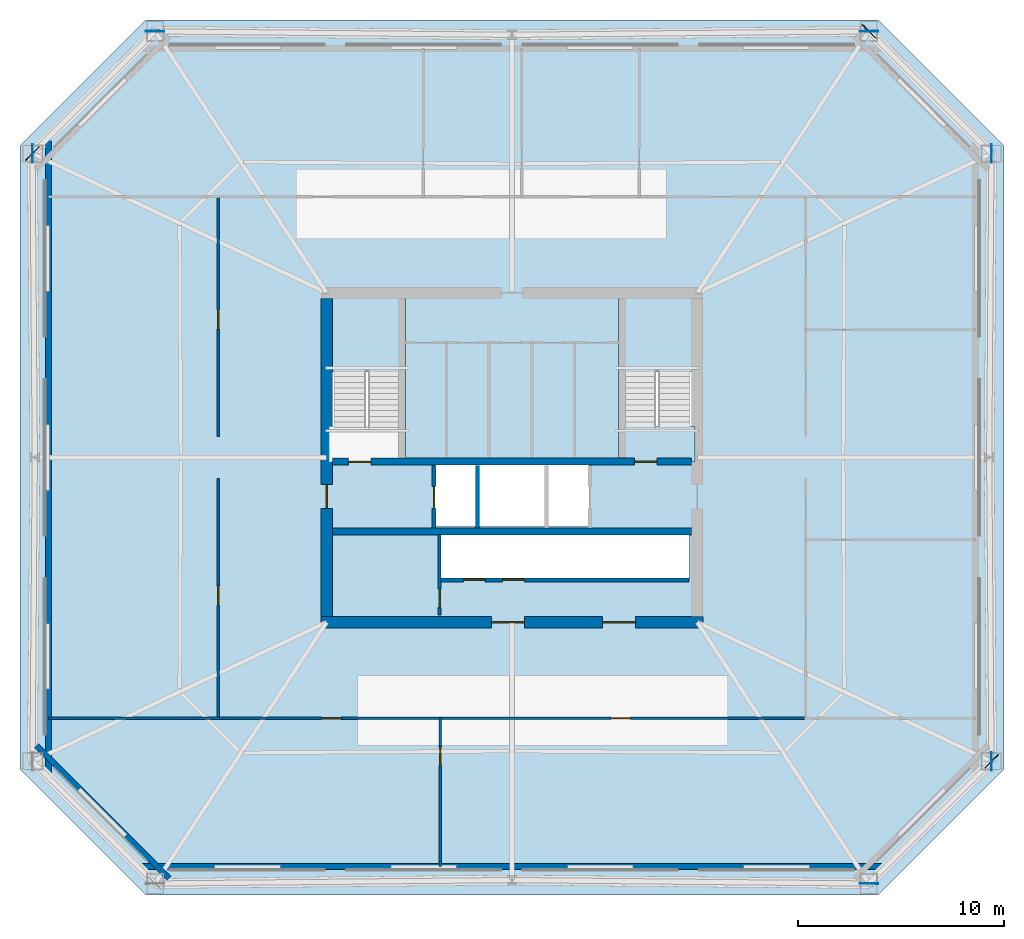
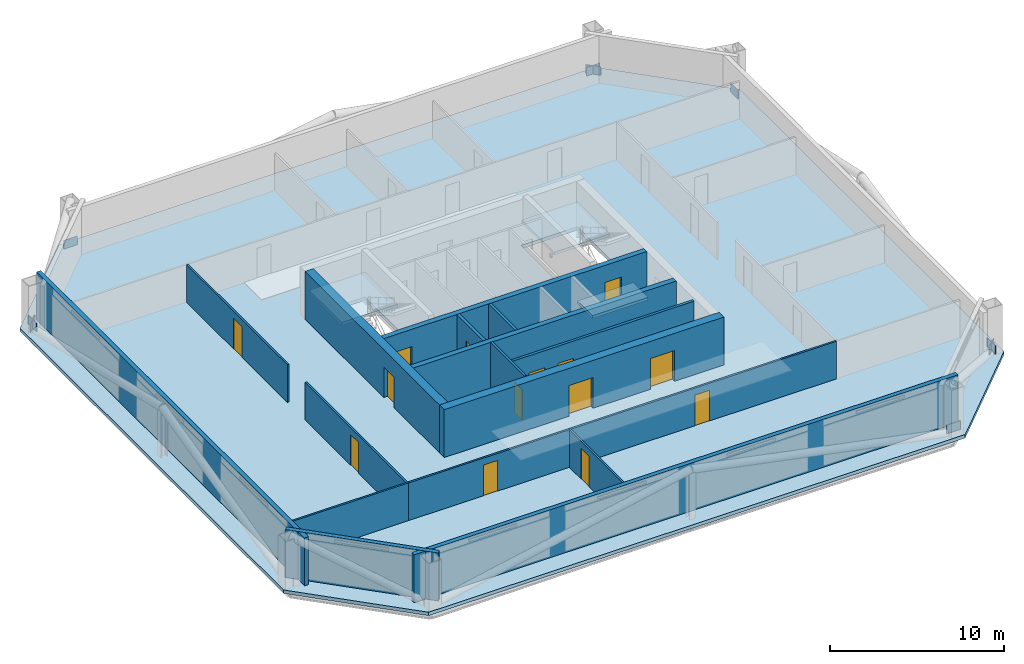
# One storey, part 2 of 6: 16 walls, 14 doors, 9 plates, 4 slabs, 14 openings, 2 elements without a shape of their own.
"""IFC4 building model written with IfcOpenShell, lengths in metres."""

from ifc_helpers import new_model, si_unit, direction, frame, frame_2d, origin, origin_2d, place, context, subcontext, project, spatial, polyline, rectangle, outline, extrude, material, layer, layer_set, type_object, element, fill, aggregate, save


model = new_model("IFC4")

# Units and contexts
model_context = context("Model", 3, precision=1e-05, world=origin(), true_north=direction((0.0, 1.0)))
body_context = subcontext(model_context, "Body", "Model", "MODEL_VIEW")
ifc_project = project(units=[si_unit("LENGTHUNIT", "METRE"), si_unit("AREAUNIT", "SQUARE_METRE"), si_unit("VOLUMEUNIT", "CUBIC_METRE"), si_unit("PLANEANGLEUNIT", "RADIAN"), si_unit("MASSUNIT", "GRAM", prefix="KILO")], contexts=[model_context])

# Site, building, storey
site_placement = place(None, origin())
site = spatial("IfcSite", under=ifc_project, at=site_placement, CompositionType="ELEMENT")
building_placement = place(site_placement, origin())
building = spatial("IfcBuilding", under=site, at=building_placement, Name="Caelvoria Tower", CompositionType="ELEMENT")
storey_placement = place(building_placement, frame((0.0, 0.0, 127.60009765625)))
storey = spatial("IfcBuildingStorey", under=building, at=storey_placement, Name="L33", CompositionType="ELEMENT", Elevation=127.60009765625)

# Plates
ifc_material_1 = material(Name="Structural Steel ASTM A572 Gr.50", Category="steel")
ifc_layer_1 = layer(ifc_material_1, 0.0400390625, Name="Structural Steel ASTM A572 Gr.50")
ifc_layer_set_1 = layer_set([ifc_layer_1], Name="Megaframe Node Gusset Plate 900x600x40 - Structural Steel ASTM A572 Gr.50")
plate_type = type_object("IfcPlateType", Name="Megaframe Node Gusset Plate 900x600x40", PredefinedType="USERDEFINED", material=ifc_layer_set_1)
for number, where, z_axis, x_axis, name in (
    (1, (69.2919921875, 17.235595703125, 0.019775390625), (0.0, 0.0, 1.0), (-0.708331213824, -0.70588022463, 0.0), "Chamfer Mega Brace Gusset L33 SE"),
    (2, (63.337646484375, 52.697998046875, 0.019775390625), (0.0, 0.0, 1.0), (0.708331213824, -0.70588022463, 0.0), "Chamfer Mega Brace Gusset L33 NE"),
    (3, (22.7080078125, 46.764404296875, 0.019775390625), (0.0, 0.0, 1.0), (0.708331213824, 0.70588022463, 0.0), "Chamfer Mega Brace Gusset L33 NW"),
    (4, (63.337646484375, 11.302001953125, 0.0498046875), (0.0, 0.0, 1.0), (-0.999953000908, 0.009695152104, 0.0), "Megaframe Node Gusset Plate ND-04"),
    (5, (69.2919921875, 17.235595703125, 0.0498046875), (0.0, 0.0, 1.0), (-0.007578147077, 0.999971285431, 0.0), "Megaframe Node Gusset Plate ND-04"),
    (6, (69.2919921875, 46.764404296875, 0.0498046875), (0.0, 0.0, 1.0), (-0.007578147077, -0.999971285431, 0.0), "Megaframe Node Gusset Plate ND-04"),
    (7, (63.337646484375, 52.697998046875, 0.0498046875), (0.0, 0.0, 1.0), (-0.999953000908, -0.009695152104, 0.0), "Megaframe Node Gusset Plate ND-04"),
    (8, (28.662353515625, 52.697998046875, 0.0498046875), (0.0, 0.0, 1.0), (0.999953000908, -0.009695152104, 0.0), "Megaframe Node Gusset Plate ND-04"),
    (9, (22.7080078125, 46.764404296875, 0.0498046875), (0.0, 0.0, 1.0), (0.007578147077, -0.999971285431, 0.0), "Megaframe Node Gusset Plate ND-04"),
):
    element("IfcPlate", number, at=place(storey_placement, frame(where, z_axis=z_axis, x_axis=x_axis)), inside=storey, type_object=plate_type, Name=name, ObjectType="GUSSET_PLATE", PredefinedType="USERDEFINED", context=body_context, shape_type="SweptSolid", body=[
        extrude(rectangle(XDim=0.89990234375, YDim=0.0400390625, at=origin_2d()), origin(), (0.0, 0.0, 1.0), 0.60009765625),
    ])

# Stair, slab
ifc_material_2 = material(Name="Concrete C40/50", Category="concrete")
stair_type = type_object("IfcStairType", Name="Core Smokeproof Dogleg Stair Concrete C40/50", PredefinedType="HALF_TURN_STAIR", material=ifc_material_2)
stair_1_placement = place(storey_placement, origin())
stair_1 = element("IfcStair", 10, at=stair_1_placement, inside=storey, type_object=stair_type, Name="ST-01 Smokeproof Exit Stair L33", PredefinedType="HALF_TURN_STAIR")
ifc_layer_2 = layer(ifc_material_2, 0.199951171875, Name="Concrete C40/50")
ifc_layer_set_2 = layer_set([ifc_layer_2], Name="Stair Half and Floor Landing Slab 200 Concrete C40/50 - Concrete C40/50")
slab_type_1 = type_object("IfcSlabType", Name="Stair Half and Floor Landing Slab 200 Concrete C40/50", PredefinedType="LANDING", material=ifc_layer_set_2)
slab_1_placement = place(storey_placement, frame((0.0, 0.0, 1.599853515625)))
slab_1 = element("IfcSlab", 11, at=slab_1_placement, type_object=slab_type_1, Name="ST-01 landing 2", PredefinedType="LANDING", context=body_context, shape_type="SweptSolid", body=[
    extrude(outline(polyline([(37.10009765625, 36.14990234375), (40.800048828125, 36.14990234375), (40.800048828125, 39.89990234375), (37.10009765625, 39.89990234375), (37.10009765625, 36.14990234375)])), origin(), (0.0, 0.0, 1.0), 0.199951171875),
])
aggregate(stair_1, [slab_1])

# Stair, slabs
stair_2_placement = place(storey_placement, origin())
stair_2 = element("IfcStair", 12, at=stair_2_placement, inside=storey, type_object=stair_type, Name="ST-02 Smokeproof Exit Stair L33", PredefinedType="HALF_TURN_STAIR")
slab_2_placement = place(storey_placement, frame((0.0, 0.0, -0.2001953125)))
slab_2 = element("IfcSlab", 13, at=slab_2_placement, type_object=slab_type_1, Name="ST-02 landing 1", PredefinedType="LANDING", context=body_context, shape_type="SweptSolid", body=[
    extrude(outline(polyline([(51.199951171875, 31.77001953125), (54.89990234375, 31.77001953125), (54.89990234375, 33.5), (51.199951171875, 33.5), (51.199951171875, 31.77001953125)])), origin(), (0.0, 0.0, 1.0), 0.2001953125),
])
slab_3_placement = place(storey_placement, frame((0.0, 0.0, 1.599853515625)))
slab_3 = element("IfcSlab", 14, at=slab_3_placement, type_object=slab_type_1, Name="ST-02 landing 2", PredefinedType="LANDING", context=body_context, shape_type="SweptSolid", body=[
    extrude(outline(polyline([(51.199951171875, 36.14990234375), (54.89990234375, 36.14990234375), (54.89990234375, 39.89990234375), (51.199951171875, 39.89990234375), (51.199951171875, 36.14990234375)])), origin(), (0.0, 0.0, 1.0), 0.199951171875),
])
aggregate(stair_2, [slab_2, slab_3])

# Slab
ifc_layer_3 = layer(ifc_material_2, 0.239990234375, Name="Concrete C40/50")
ifc_layer_set_3 = layer_set([ifc_layer_3], Name="Tower Composite Office Slab 240 - Concrete C40/50")
slab_type_2 = type_object("IfcSlabType", Name="Tower Composite Office Slab 240", PredefinedType="FLOOR", material=ifc_layer_set_3)
slab_4_placement = place(storey_placement, frame((0.0, 0.0, -0.239990234375)))
element("IfcSlab", 15, at=slab_4_placement, inside=storey, type_object=slab_type_2, Name="Level L33 Structural Floor Slab", PredefinedType="FLOOR", context=body_context, shape_type="SweptSolid", body=[
    extrude(outline(polyline([(28.199951171875, 10.75), (63.800048828125, 10.75), (69.89990234375, 16.85009765625), (69.89990234375, 47.14990234375), (63.800048828125, 53.25), (28.199951171875, 53.25), (22.10009765625, 47.14990234375), (22.10009765625, 16.85009765625), (28.199951171875, 10.75)]), holes=[polyline([(37.080078125, 31.75), (40.820068359375, 31.75), (40.820068359375, 39.919921875), (37.080078125, 39.919921875), (37.080078125, 31.75)]), polyline([(51.179931640625, 31.75), (54.919921875, 31.75), (54.919921875, 39.919921875), (51.179931640625, 39.919921875), (51.179931640625, 31.75)]), polyline([(42.25, 28.64990234375), (49.75, 28.64990234375), (49.75, 31.800048828125), (42.25, 31.800048828125), (42.25, 28.64990234375)]), polyline([(42.550048828125, 26.14990234375), (54.60009765625, 26.14990234375), (54.60009765625, 28.25), (42.550048828125, 28.25), (42.550048828125, 26.14990234375)])]), origin(), (0.0, 0.0, 1.0), 0.239990234375),
])

# Wall, openings, doors
ifc_material_3 = material(Name="Concrete C50/60", Category="concrete")
ifc_layer_4 = layer(ifc_material_3, 0.35009765625, Name="Concrete C50/60")
ifc_layer_set_4 = layer_set([ifc_layer_4], Name="Core Internal Shear Wall 350 - Concrete C50/60")
wall_type_1 = type_object("IfcWallType", Name="Core Internal Shear Wall 350", PredefinedType="SHEAR", material=ifc_layer_set_4)
wall_1_placement = place(storey_placement, frame((37.27490234375, 31.800048828125, 0.0), z_axis=(0.0, 0.0, 1.0), x_axis=(1.0, 0.0, 0.0)))
wall_1 = element("IfcWall", 16, at=wall_1_placement, inside=storey, type_object=wall_type_1, Name="Core Shear Wall L33 M1", PredefinedType="SHEAR", context=body_context, shape_type="SweptSolid", body=[
    extrude(rectangle(XDim=17.4501953125, YDim=0.35009765625, at=frame_2d((8.72509765625, 0.0))), origin(), (0.0, 0.0, 1.0), 3.35986328125),
])
opening_1_placement = place(wall_1_placement, frame((0.77490234375, 0.0, 0.0)))
opening_1 = element("IfcOpeningElement", 17, at=opening_1_placement, cuts=wall_1, Name="Opening ID-01", PredefinedType="OPENING", context=body_context, shape_type="SweptSolid", body=[
    extrude(rectangle(XDim=1.10009765625, YDim=2.14990234375, at=frame_2d((0.550048828125, 1.074951171875))), frame((0.0, 0.18505859375, 0.0), z_axis=(0.0, -1.0, 0.0), x_axis=(1.0, 0.0, 0.0)), (0.0, 0.0, 1.0), 0.3701171875),
])
opening_2_placement = place(wall_1_placement, frame((14.675048828125, 0.0, 0.0)))
opening_2 = element("IfcOpeningElement", 18, at=opening_2_placement, cuts=wall_1, Name="Opening ID-01", PredefinedType="OPENING", context=body_context, shape_type="SweptSolid", body=[
    extrude(rectangle(XDim=1.10009765625, YDim=2.14990234375, at=frame_2d((0.550048828125, 1.074951171875))), frame((0.0, 0.18505859375, 0.0), z_axis=(0.0, -1.0, 0.0), x_axis=(1.0, 0.0, 0.0)), (0.0, 0.0, 1.0), 0.3701171875),
])
ifc_material_4 = material(Name="Painted Hollow Steel Fire Door", Category="steel")
door_type_1 = type_object("IfcDoorType", Name="Fire Door FD90S 1100x2150", OperationType="NOTDEFINED", PredefinedType="DOOR", material=ifc_material_4)
door_1_placement = place(opening_1_placement, origin())
door_1 = element("IfcDoor", 19, at=door_1_placement, inside=storey, type_object=door_type_1, Name="Core Door DR-L33-ST1", OperationType="SINGLE_SWING_LEFT", OverallHeight=2.14990234375, OverallWidth=1.10009765625, PredefinedType="DOOR", context=body_context, shape_type="SweptSolid", body=[
    extrude(rectangle(XDim=1.10009765625, YDim=2.14990234375, at=frame_2d((0.550048828125, 1.074951171875))), frame((0.0, 0.02490234375, 0.0), z_axis=(0.0, -1.0, 0.0), x_axis=(1.0, 0.0, 0.0)), (0.0, 0.0, 1.0), 0.050048828125),
])
fill(opening_1, door_1)
door_2_placement = place(opening_2_placement, origin())
door_2 = element("IfcDoor", 20, at=door_2_placement, inside=storey, type_object=door_type_1, Name="Core Door DR-L33-ST2", OperationType="SINGLE_SWING_RIGHT", OverallHeight=2.14990234375, OverallWidth=1.10009765625, PredefinedType="DOOR", context=body_context, shape_type="SweptSolid", body=[
    extrude(rectangle(XDim=1.10009765625, YDim=2.14990234375, at=frame_2d((0.550048828125, 1.074951171875))), frame((0.0, 0.02490234375, 0.0), z_axis=(0.0, -1.0, 0.0), x_axis=(1.0, 0.0, 0.0)), (0.0, 0.0, 1.0), 0.050048828125),
])
fill(opening_2, door_2)

# Wall
wall_2_placement = place(storey_placement, frame((37.27490234375, 28.39990234375, 0.0), z_axis=(0.0, 0.0, 1.0), x_axis=(1.0, 0.0, 0.0)))
element("IfcWall", 21, at=wall_2_placement, inside=storey, type_object=wall_type_1, Name="Core Shear Wall L33 M2", PredefinedType="SHEAR", context=body_context, shape_type="SweptSolid", body=[
    extrude(rectangle(XDim=17.4501953125, YDim=0.35009765625, at=frame_2d((8.72509765625, 0.0))), origin(), (0.0, 0.0, 1.0), 3.35986328125),
])

# Wall, opening, door
ifc_material_5 = material(Name="Double Gypsum Board on Steel Stud", Category="steel")
ifc_layer_5 = layer(ifc_material_5, 0.14990234375, Name="Double Gypsum Board on Steel Stud")
ifc_layer_set_5 = layer_set([ifc_layer_5], Name="Core Service Acoustic Partition Wall 150 - Double Gypsum Board on Steel Stud")
wall_type_2 = type_object("IfcWallType", Name="Core Service Acoustic Partition Wall 150", PredefinedType="PARTITIONING", material=ifc_layer_set_5)
wall_3_placement = place(storey_placement, frame((42.47998046875, 24.35009765625, 0.0), z_axis=(0.0, 0.0, 1.0), x_axis=(0.0, 1.0, 0.0)))
wall_3 = element("IfcWall", 22, at=wall_3_placement, inside=storey, type_object=wall_type_2, Name="Interior Partition IW-L33-RECL1E", PredefinedType="PARTITIONING", context=body_context, shape_type="SweptSolid", body=[
    extrude(rectangle(XDim=3.89990234375, YDim=0.14990234375, at=frame_2d((1.949951171875, 0.0))), origin(), (0.0, 0.0, 1.0), 3.35986328125),
])
opening_3_placement = place(wall_3_placement, frame((0.35009765625, 0.0, 0.0)))
opening_3 = element("IfcOpeningElement", 23, at=opening_3_placement, cuts=wall_3, Name="Opening ID-04", PredefinedType="OPENING", context=body_context, shape_type="SweptSolid", body=[
    extrude(rectangle(XDim=0.89990234375, YDim=2.14990234375, at=frame_2d((0.449951171875, 1.074951171875))), frame((0.0, 0.0849609375, 0.0), z_axis=(0.0, -1.0, 0.0), x_axis=(1.0, 0.0, 0.0)), (0.0, 0.0, 1.0), 0.169921875),
])
ifc_material_6 = material(Name="Acoustic Timber Fire Door", Category="wood")
door_type_2 = type_object("IfcDoorType", Name="Fire Door FD30S 900x2150", OperationType="NOTDEFINED", PredefinedType="DOOR", material=ifc_material_6)
door_3_placement = place(opening_3_placement, origin())
door_3 = element("IfcDoor", 24, at=door_3_placement, inside=storey, type_object=door_type_2, Name="Interior Door DR-L33-RECL1", OperationType="SINGLE_SWING_LEFT", OverallHeight=2.14990234375, OverallWidth=0.89990234375, PredefinedType="DOOR", context=body_context, shape_type="SweptSolid", body=[
    extrude(rectangle(XDim=0.89990234375, YDim=2.14990234375, at=frame_2d((0.449951171875, 1.074951171875))), frame((0.0, 0.02490234375, 0.0), z_axis=(0.0, -1.0, 0.0), x_axis=(1.0, 0.0, 0.0)), (0.0, 0.0, 1.0), 0.050048828125),
])
fill(opening_3, door_3)

# Walls
ifc_material_7 = material(Name="Precast Concrete C40/50 with Bronze Cladding", Category="concrete")
ifc_layer_6 = layer(ifc_material_7, 0.280029296875, Name="Precast Concrete C40/50 with Bronze Cladding")
ifc_layer_set_6 = layer_set([ifc_layer_6], Name="Exterior Precast Concrete C40/50 Bronze-Clad Facade Wall 280 - Precast Concrete C40/50 with Bronze Cladding")
wall_type_3 = type_object("IfcWallType", Name="Exterior Precast Concrete C40/50 Bronze-Clad Facade Wall 280", PredefinedType="STANDARD", material=ifc_layer_set_6)
wall_4_placement = place(storey_placement, frame((27.9599609375, 12.1298828125, 0.0), z_axis=(0.0, 0.0, 1.0), x_axis=(1.0, 0.0, 0.0)))
element("IfcWall", 25, at=wall_4_placement, inside=storey, type_object=wall_type_3, Name="Exterior Facade Wall L33-E0", PredefinedType="STANDARD", context=body_context, shape_type="SweptSolid", body=[
    extrude(rectangle(XDim=36.080078125, YDim=0.280029296875, at=frame_2d((18.0400390625, 0.0))), origin(), (0.0, 0.0, 1.0), 3.35986328125),
])
wall_5_placement = place(storey_placement, frame((23.47998046875, 47.389892578125, 0.0), z_axis=(0.0, 0.0, 1.0), x_axis=(0.0, -1.0, 0.0)))
element("IfcWall", 26, at=wall_5_placement, inside=storey, type_object=wall_type_3, Name="Exterior Facade Wall L33-E6", PredefinedType="STANDARD", context=body_context, shape_type="SweptSolid", body=[
    extrude(rectangle(XDim=30.77978515625, YDim=0.280029296875, at=frame_2d((15.389892578125, 0.0))), origin(), (0.0, 0.0, 1.0), 3.35986328125),
])
wall_6_placement = place(storey_placement, frame((22.906005859375, 17.99560546875, 0.0), z_axis=(0.0, 0.0, 1.0), x_axis=(0.707106781187, -0.707106781187, 0.0)))
element("IfcWall", 27, at=wall_6_placement, inside=storey, type_object=wall_type_3, Name="Exterior Facade Wall L33-E7", PredefinedType="STANDARD", context=body_context, shape_type="SweptSolid", body=[
    extrude(rectangle(XDim=9.106689453125, YDim=0.280029296875, at=frame_2d((4.55322265625, 0.0))), origin(), (0.0, 0.0, 1.0), 3.35986328125),
])
ifc_material_8 = material(Name="Concrete Block and Fireboard Assembly", Category="concrete")
ifc_layer_7 = layer(ifc_material_8, 0.179931640625, Name="Concrete Block and Fireboard Assembly")
ifc_layer_set_7 = layer_set([ifc_layer_7], Name="Fire-Rated Hoistway Partition Wall 180 - Concrete Block and Fireboard Assembly")
wall_type_4 = type_object("IfcWallType", Name="Fire-Rated Hoistway Partition Wall 180", PredefinedType="PARTITIONING", material=ifc_layer_set_7)
wall_7_placement = place(storey_placement, frame((44.320068359375, 28.580078125, 0.0), z_axis=(0.0, 0.0, 1.0), x_axis=(0.0, 1.0, 0.0)))
element("IfcWall", 28, at=wall_7_placement, inside=storey, type_object=wall_type_4, Name="Interior Partition IW-L33-SV1W", PredefinedType="PARTITIONING", context=body_context, shape_type="SweptSolid", body=[
    extrude(rectangle(XDim=3.0400390625, YDim=0.179931640625, at=frame_2d((1.52001953125, 0.0))), origin(), (0.0, 0.0, 1.0), 3.35986328125),
])

# Wall, openings, doors
wall_8_placement = place(storey_placement, frame((42.550048828125, 26.050048828125, 0.0), z_axis=(0.0, 0.0, 1.0), x_axis=(1.0, 0.0, 0.0)))
wall_8 = element("IfcWall", 29, at=wall_8_placement, inside=storey, type_object=wall_type_4, Name="Interior Partition IW-L33-LFRONT", PredefinedType="PARTITIONING", context=body_context, shape_type="SweptSolid", body=[
    extrude(rectangle(XDim=12.050048828125, YDim=0.179931640625, at=frame_2d((6.02490234375, 0.0))), origin(), (0.0, 0.0, 1.0), 3.35986328125),
])
opening_4_placement = place(wall_8_placement, frame((1.10009765625, 0.0, 0.0)))
opening_4 = element("IfcOpeningElement", 30, at=opening_4_placement, cuts=wall_8, Name="Opening LD-01", PredefinedType="OPENING", context=body_context, shape_type="SweptSolid", body=[
    extrude(rectangle(XDim=1.050048828125, YDim=2.14990234375, at=frame_2d((0.52490234375, 1.074951171875))), frame((0.0, 0.099853515625, 0.0), z_axis=(0.0, -1.0, 0.0), x_axis=(1.0, 0.0, 0.0)), (0.0, 0.0, 1.0), 0.199951171875),
])
opening_5_placement = place(wall_8_placement, frame((3.0, 0.0, 0.0)))
opening_5 = element("IfcOpeningElement", 31, at=opening_5_placement, cuts=wall_8, Name="Opening LD-01", PredefinedType="OPENING", context=body_context, shape_type="SweptSolid", body=[
    extrude(rectangle(XDim=1.050048828125, YDim=2.14990234375, at=frame_2d((0.52490234375, 1.074951171875))), frame((0.0, 0.099853515625, 0.0), z_axis=(0.0, -1.0, 0.0), x_axis=(1.0, 0.0, 0.0)), (0.0, 0.0, 1.0), 0.199951171875),
])
ifc_material_9 = material(Name="Brushed Bronze Stainless Sliding Landing Door", Category="aluminium")
door_type_3 = type_object("IfcDoorType", Name="Lift Landing Sliding Door 1100x2150", OperationType="NOTDEFINED", PredefinedType="DOOR", material=ifc_material_9)
door_4_placement = place(opening_4_placement, origin())
door_4 = element("IfcDoor", 32, at=door_4_placement, inside=storey, type_object=door_type_3, Name="Interior Door LD-L33-PM1", OperationType="SLIDING_TO_LEFT", OverallHeight=2.14990234375, OverallWidth=1.050048828125, PredefinedType="DOOR", context=body_context, shape_type="SweptSolid", body=[
    extrude(rectangle(XDim=1.050048828125, YDim=2.14990234375, at=frame_2d((0.52490234375, 1.074951171875))), frame((0.0, 0.02490234375, 0.0), z_axis=(0.0, -1.0, 0.0), x_axis=(1.0, 0.0, 0.0)), (0.0, 0.0, 1.0), 0.050048828125),
])
fill(opening_4, door_4)
door_5_placement = place(opening_5_placement, origin())
door_5 = element("IfcDoor", 33, at=door_5_placement, inside=storey, type_object=door_type_3, Name="Interior Door LD-L33-PM2", OperationType="SLIDING_TO_RIGHT", OverallHeight=2.14990234375, OverallWidth=1.050048828125, PredefinedType="DOOR", context=body_context, shape_type="SweptSolid", body=[
    extrude(rectangle(XDim=1.050048828125, YDim=2.14990234375, at=frame_2d((0.52490234375, 1.074951171875))), frame((0.0, 0.02490234375, 0.0), z_axis=(0.0, -1.0, 0.0), x_axis=(1.0, 0.0, 0.0)), (0.0, 0.0, 1.0), 0.050048828125),
])
fill(opening_5, door_5)

# Wall, opening, door
ifc_layer_8 = layer(ifc_material_8, 0.199951171875, Name="Concrete Block and Fireboard Assembly")
ifc_layer_set_8 = layer_set([ifc_layer_8], Name="Fire-Rated Shaft and Core Partition Wall 200 - Concrete Block and Fireboard Assembly")
wall_type_5 = type_object("IfcWallType", Name="Fire-Rated Shaft and Core Partition Wall 200", PredefinedType="PARTITIONING", material=ifc_layer_set_8)
wall_9_placement = place(storey_placement, frame((42.219970703125, 28.580078125, 0.0), z_axis=(0.0, 0.0, 1.0), x_axis=(0.0, 1.0, 0.0)))
wall_9 = element("IfcWall", 34, at=wall_9_placement, inside=storey, type_object=wall_type_5, Name="Interior Partition IW-L33-LF1W", PredefinedType="PARTITIONING", context=body_context, shape_type="SweptSolid", body=[
    extrude(rectangle(XDim=3.0400390625, YDim=0.199951171875, at=frame_2d((1.52001953125, 0.0))), origin(), (0.0, 0.0, 1.0), 3.35986328125),
])
opening_6_placement = place(wall_9_placement, frame((0.949951171875, 0.0, 0.0)))
opening_6 = element("IfcOpeningElement", 35, at=opening_6_placement, cuts=wall_9, Name="Opening LD-01", PredefinedType="OPENING", context=body_context, shape_type="SweptSolid", body=[
    extrude(rectangle(XDim=1.050048828125, YDim=2.14990234375, at=frame_2d((0.52490234375, 1.074951171875))), frame((0.0, 0.10986328125, 0.0), z_axis=(0.0, -1.0, 0.0), x_axis=(1.0, 0.0, 0.0)), (0.0, 0.0, 1.0), 0.219970703125),
])
door_6_placement = place(opening_6_placement, origin())
door_6 = element("IfcDoor", 36, at=door_6_placement, inside=storey, type_object=door_type_3, Name="Interior Door LD-L33-LF1", OperationType="SLIDING_TO_LEFT", OverallHeight=2.14990234375, OverallWidth=1.050048828125, PredefinedType="DOOR", context=body_context, shape_type="SweptSolid", body=[
    extrude(rectangle(XDim=1.050048828125, YDim=2.14990234375, at=frame_2d((0.52490234375, 1.074951171875))), frame((0.0, 0.02490234375, 0.0), z_axis=(0.0, -1.0, 0.0), x_axis=(1.0, 0.0, 0.0)), (0.0, 0.0, 1.0), 0.050048828125),
])
fill(opening_6, door_6)

# Wall, openings, doors
ifc_material_10 = material(Name="Concrete C55/67", Category="concrete")
ifc_layer_9 = layer(ifc_material_10, 0.550048828125, Name="Concrete C55/67")
ifc_layer_set_9 = layer_set([ifc_layer_9], Name="Mid Core Shear Wall 550 - Concrete C55/67")
wall_type_6 = type_object("IfcWallType", Name="Mid Core Shear Wall 550", PredefinedType="SHEAR", material=ifc_layer_set_9)
wall_10_placement = place(storey_placement, frame((36.72509765625, 24.0, 0.0), z_axis=(0.0, 0.0, 1.0), x_axis=(1.0, 0.0, 0.0)))
wall_10 = element("IfcWall", 37, at=wall_10_placement, inside=storey, type_object=wall_type_6, Name="Core Shear Wall L33 S", PredefinedType="SHEAR", context=body_context, shape_type="SweptSolid", body=[
    extrude(rectangle(XDim=18.5498046875, YDim=0.550048828125, at=frame_2d((9.27490234375, 0.0))), origin(), (0.0, 0.0, 1.0), 3.35986328125),
])
opening_7_placement = place(wall_10_placement, frame((8.27490234375, 0.0, 0.0)))
opening_7 = element("IfcOpeningElement", 38, at=opening_7_placement, cuts=wall_10, Name="Opening ID-08", PredefinedType="OPENING", context=body_context, shape_type="SweptSolid", body=[
    extrude(rectangle(XDim=1.60009765625, YDim=2.14990234375, at=frame_2d((0.800048828125, 1.074951171875))), frame((0.0, 0.284912109375, 0.0), z_axis=(0.0, -1.0, 0.0), x_axis=(1.0, 0.0, 0.0)), (0.0, 0.0, 1.0), 0.570068359375),
])
opening_8_placement = place(wall_10_placement, frame((13.675048828125, 0.0, 0.0)))
opening_8 = element("IfcOpeningElement", 39, at=opening_8_placement, cuts=wall_10, Name="Opening ID-08", PredefinedType="OPENING", context=body_context, shape_type="SweptSolid", body=[
    extrude(rectangle(XDim=1.60009765625, YDim=2.14990234375, at=frame_2d((0.800048828125, 1.074951171875))), frame((0.0, 0.284912109375, 0.0), z_axis=(0.0, -1.0, 0.0), x_axis=(1.0, 0.0, 0.0)), (0.0, 0.0, 1.0), 0.570068359375),
])
ifc_material_11 = material(Name="Bronze-Framed Fire-Rated Glazed Double Door", Category="aluminium")
door_type_4 = type_object("IfcDoorType", Name="Double Lobby Glazed Door 1600x2200", OperationType="NOTDEFINED", PredefinedType="DOOR", material=ifc_material_11)
door_7_placement = place(opening_7_placement, origin())
door_7 = element("IfcDoor", 40, at=door_7_placement, inside=storey, type_object=door_type_4, Name="Core Door DR-L33-LLOB-S1", OperationType="DOUBLE_DOOR_SINGLE_SWING", OverallHeight=2.14990234375, OverallWidth=1.60009765625, PredefinedType="DOOR", context=body_context, shape_type="SweptSolid", body=[
    extrude(rectangle(XDim=1.60009765625, YDim=2.14990234375, at=frame_2d((0.800048828125, 1.074951171875))), frame((0.0, 0.02490234375, 0.0), z_axis=(0.0, -1.0, 0.0), x_axis=(1.0, 0.0, 0.0)), (0.0, 0.0, 1.0), 0.050048828125),
])
fill(opening_7, door_7)
door_8_placement = place(opening_8_placement, origin())
door_8 = element("IfcDoor", 41, at=door_8_placement, inside=storey, type_object=door_type_4, Name="Core Door DR-L33-LLOB-S2", OperationType="DOUBLE_DOOR_SINGLE_SWING", OverallHeight=2.14990234375, OverallWidth=1.60009765625, PredefinedType="DOOR", context=body_context, shape_type="SweptSolid", body=[
    extrude(rectangle(XDim=1.60009765625, YDim=2.14990234375, at=frame_2d((0.800048828125, 1.074951171875))), frame((0.0, 0.02490234375, 0.0), z_axis=(0.0, -1.0, 0.0), x_axis=(1.0, 0.0, 0.0)), (0.0, 0.0, 1.0), 0.050048828125),
])
fill(opening_8, door_8)

# Wall, opening, door
wall_11_placement = place(storey_placement, frame((37.0, 24.27490234375, 0.0), z_axis=(0.0, 0.0, 1.0), x_axis=(0.0, 1.0, 0.0)))
wall_11 = element("IfcWall", 42, at=wall_11_placement, inside=storey, type_object=wall_type_6, Name="Core Shear Wall L33 W", PredefinedType="SHEAR", context=body_context, shape_type="SweptSolid", body=[
    extrude(rectangle(XDim=15.4501953125, YDim=0.550048828125, at=frame_2d((7.72509765625, 0.0))), origin(), (0.0, 0.0, 1.0), 3.35986328125),
])
opening_9_placement = place(wall_11_placement, frame((5.25, 0.0, 0.0)))
opening_9 = element("IfcOpeningElement", 43, at=opening_9_placement, cuts=wall_11, Name="Opening ID-02", PredefinedType="OPENING", context=body_context, shape_type="SweptSolid", body=[
    extrude(rectangle(XDim=1.14990234375, YDim=2.14990234375, at=frame_2d((0.574951171875, 1.074951171875))), frame((0.0, 0.284912109375, 0.0), z_axis=(0.0, -1.0, 0.0), x_axis=(1.0, 0.0, 0.0)), (0.0, 0.0, 1.0), 0.570068359375),
])
door_type_5 = type_object("IfcDoorType", Name="Fire Door FD60S 1150x2150", OperationType="NOTDEFINED", PredefinedType="DOOR", material=ifc_material_4)
door_9_placement = place(opening_9_placement, origin())
door_9 = element("IfcDoor", 44, at=door_9_placement, inside=storey, type_object=door_type_5, Name="Core Door DR-L33-FFLW-OUT", OperationType="SINGLE_SWING_LEFT", OverallHeight=2.14990234375, OverallWidth=1.14990234375, PredefinedType="DOOR", context=body_context, shape_type="SweptSolid", body=[
    extrude(rectangle(XDim=1.14990234375, YDim=2.14990234375, at=frame_2d((0.574951171875, 1.074951171875))), frame((0.0, 0.02490234375, 0.0), z_axis=(0.0, -1.0, 0.0), x_axis=(1.0, 0.0, 0.0)), (0.0, 0.0, 1.0), 0.050048828125),
])
fill(opening_9, door_9)

ifc_material_12 = material(Name="Acoustic Gypsum Board on Light-Gauge Stud", Category="gypsum")
ifc_layer_10 = layer(ifc_material_12, 0.1201171875, Name="Acoustic Gypsum Board on Light-Gauge Stud")
ifc_layer_set_10 = layer_set([ifc_layer_10], Name="Tenant Suite Acoustic Partition Wall 120 - Acoustic Gypsum Board on Light-Gauge Stud")
wall_type_7 = type_object("IfcWallType", Name="Tenant Suite Acoustic Partition Wall 120", PredefinedType="PARTITIONING", material=ifc_layer_set_10)
wall_12_placement = place(storey_placement, frame((42.52001953125, 19.340087890625, 0.0), z_axis=(0.0, 0.0, 1.0), x_axis=(0.0, -1.0, 0.0)))
wall_12 = element("IfcWall", 45, at=wall_12_placement, inside=storey, type_object=wall_type_7, Name="Interior Partition IW-L33-SD-00-0", PredefinedType="PARTITIONING", context=body_context, shape_type="SweptSolid", body=[
    extrude(rectangle(XDim=7.210205078125, YDim=0.1201171875, at=frame_2d((3.60498046875, 0.0))), origin(), (0.0, 0.0, 1.0), 2.639892578125),
])
opening_10_placement = place(wall_12_placement, frame((1.39990234375, 0.0, 0.0)))
opening_10 = element("IfcOpeningElement", 46, at=opening_10_placement, cuts=wall_12, Name="Opening ID-06", PredefinedType="OPENING", context=body_context, shape_type="SweptSolid", body=[
    extrude(rectangle(XDim=0.89990234375, YDim=2.14990234375, at=frame_2d((0.449951171875, 1.074951171875))), frame((0.0, 0.070068359375, 0.0), z_axis=(0.0, -1.0, 0.0), x_axis=(1.0, 0.0, 0.0)), (0.0, 0.0, 1.0), 0.14013671875),
])
ifc_material_13 = material(Name="Engineered Andean Oak Veneer Door", Category="wood")
door_type_6 = type_object("IfcDoorType", Name="Interior Timber Door 900x2150", OperationType="NOTDEFINED", PredefinedType="DOOR", material=ifc_material_13)
door_10_placement = place(opening_10_placement, origin())
door_10 = element("IfcDoor", 47, at=door_10_placement, inside=storey, type_object=door_type_6, Name="Interior Door DR-L33-SM-00-0", OperationType="SINGLE_SWING_RIGHT", OverallHeight=2.14990234375, OverallWidth=0.89990234375, PredefinedType="DOOR", context=body_context, shape_type="SweptSolid", body=[
    extrude(rectangle(XDim=0.89990234375, YDim=2.14990234375, at=frame_2d((0.449951171875, 1.074951171875))), frame((0.0, 0.02490234375, 0.0), z_axis=(0.0, -1.0, 0.0), x_axis=(1.0, 0.0, 0.0)), (0.0, 0.0, 1.0), 0.050048828125),
])
fill(opening_10, door_10)

# Wall, openings, doors
wall_13_placement = place(storey_placement, frame((31.800048828125, 19.340087890625, 0.0), z_axis=(0.0, 0.0, 1.0), x_axis=(1.0, 0.0, 0.0)))
wall_13 = element("IfcWall", 48, at=wall_13_placement, inside=storey, type_object=wall_type_7, Name="Interior Partition IW-L33-SCW-0", PredefinedType="PARTITIONING", context=body_context, shape_type="SweptSolid", body=[
    extrude(rectangle(XDim=28.39990234375, YDim=0.1201171875, at=frame_2d((14.199951171875, 0.0))), origin(), (0.0, 0.0, 1.0), 2.639892578125),
])
opening_11_placement = place(wall_13_placement, frame((4.955078125, 0.0, 0.0)))
opening_11 = element("IfcOpeningElement", 49, at=opening_11_placement, cuts=wall_13, Name="Opening ID-05", PredefinedType="OPENING", context=body_context, shape_type="SweptSolid", body=[
    extrude(rectangle(XDim=0.949951171875, YDim=2.14990234375, at=frame_2d((0.47509765625, 1.074951171875))), frame((0.0, 0.070068359375, 0.0), z_axis=(0.0, -1.0, 0.0), x_axis=(1.0, 0.0, 0.0)), (0.0, 0.0, 1.0), 0.14013671875),
])
opening_12_placement = place(wall_13_placement, frame((19.014892578125, 0.0, 0.0)))
opening_12 = element("IfcOpeningElement", 50, at=opening_12_placement, cuts=wall_13, Name="Opening ID-05", PredefinedType="OPENING", context=body_context, shape_type="SweptSolid", body=[
    extrude(rectangle(XDim=0.949951171875, YDim=2.14990234375, at=frame_2d((0.47509765625, 1.074951171875))), frame((0.0, 0.070068359375, 0.0), z_axis=(0.0, -1.0, 0.0), x_axis=(1.0, 0.0, 0.0)), (0.0, 0.0, 1.0), 0.14013671875),
])
door_type_7 = type_object("IfcDoorType", Name="Interior Timber Door 950x2150", OperationType="NOTDEFINED", PredefinedType="DOOR", material=ifc_material_13)
door_11_placement = place(opening_11_placement, origin())
door_11 = element("IfcDoor", 51, at=door_11_placement, inside=storey, type_object=door_type_7, Name="Interior Door DR-L33-SC-00-0", OperationType="SINGLE_SWING_RIGHT", OverallHeight=2.14990234375, OverallWidth=0.949951171875, PredefinedType="DOOR", context=body_context, shape_type="SweptSolid", body=[
    extrude(rectangle(XDim=0.949951171875, YDim=2.14990234375, at=frame_2d((0.47509765625, 1.074951171875))), frame((0.0, 0.02490234375, 0.0), z_axis=(0.0, -1.0, 0.0), x_axis=(1.0, 0.0, 0.0)), (0.0, 0.0, 1.0), 0.050048828125),
])
fill(opening_11, door_11)
door_12_placement = place(opening_12_placement, origin())
door_12 = element("IfcDoor", 52, at=door_12_placement, inside=storey, type_object=door_type_7, Name="Interior Door DR-L33-SC-01-0", OperationType="SINGLE_SWING_LEFT", OverallHeight=2.14990234375, OverallWidth=0.949951171875, PredefinedType="DOOR", context=body_context, shape_type="SweptSolid", body=[
    extrude(rectangle(XDim=0.949951171875, YDim=2.14990234375, at=frame_2d((0.47509765625, 1.074951171875))), frame((0.0, 0.02490234375, 0.0), z_axis=(0.0, -1.0, 0.0), x_axis=(1.0, 0.0, 0.0)), (0.0, 0.0, 1.0), 0.050048828125),
])
fill(opening_12, door_12)

# Wall, opening, door
wall_14_placement = place(storey_placement, frame((31.739990234375, 19.39990234375, 0.0), z_axis=(0.0, 0.0, 1.0), x_axis=(0.0, 1.0, 0.0)))
wall_14 = element("IfcWall", 53, at=wall_14_placement, inside=storey, type_object=wall_type_7, Name="Interior Partition IW-L33-WCW-0", PredefinedType="PARTITIONING", context=body_context, shape_type="SweptSolid", body=[
    extrude(rectangle(XDim=11.580078125, YDim=0.1201171875, at=frame_2d((5.7900390625, 0.0))), origin(), (0.0, 0.0, 1.0), 2.639892578125),
])
opening_13_placement = place(wall_14_placement, frame((5.4150390625, 0.0, 0.0)))
opening_13 = element("IfcOpeningElement", 54, at=opening_13_placement, cuts=wall_14, Name="Opening ID-05", PredefinedType="OPENING", context=body_context, shape_type="SweptSolid", body=[
    extrude(rectangle(XDim=0.949951171875, YDim=2.14990234375, at=frame_2d((0.47509765625, 1.074951171875))), frame((0.0, 0.070068359375, 0.0), z_axis=(0.0, -1.0, 0.0), x_axis=(1.0, 0.0, 0.0)), (0.0, 0.0, 1.0), 0.14013671875),
])
door_13_placement = place(opening_13_placement, origin())
door_13 = element("IfcDoor", 55, at=door_13_placement, inside=storey, type_object=door_type_7, Name="Interior Door DR-L33-WC-00-1", OperationType="SINGLE_SWING_LEFT", OverallHeight=2.14990234375, OverallWidth=0.949951171875, PredefinedType="DOOR", context=body_context, shape_type="SweptSolid", body=[
    extrude(rectangle(XDim=0.949951171875, YDim=2.14990234375, at=frame_2d((0.47509765625, 1.074951171875))), frame((0.0, 0.02490234375, 0.0), z_axis=(0.0, -1.0, 0.0), x_axis=(1.0, 0.0, 0.0)), (0.0, 0.0, 1.0), 0.050048828125),
])
fill(opening_13, door_13)

wall_15_placement = place(storey_placement, frame((31.739990234375, 33.02001953125, 0.0), z_axis=(0.0, 0.0, 1.0), x_axis=(0.0, 1.0, 0.0)))
wall_15 = element("IfcWall", 56, at=wall_15_placement, inside=storey, type_object=wall_type_7, Name="Interior Partition IW-L33-WCW-1", PredefinedType="PARTITIONING", context=body_context, shape_type="SweptSolid", body=[
    extrude(rectangle(XDim=11.580078125, YDim=0.1201171875, at=frame_2d((5.7900390625, 0.0))), origin(), (0.0, 0.0, 1.0), 2.639892578125),
])
opening_14_placement = place(wall_15_placement, frame((5.215087890625, 0.0, 0.0)))
opening_14 = element("IfcOpeningElement", 57, at=opening_14_placement, cuts=wall_15, Name="Opening ID-05", PredefinedType="OPENING", context=body_context, shape_type="SweptSolid", body=[
    extrude(rectangle(XDim=0.949951171875, YDim=2.14990234375, at=frame_2d((0.47509765625, 1.074951171875))), frame((0.0, 0.070068359375, 0.0), z_axis=(0.0, -1.0, 0.0), x_axis=(1.0, 0.0, 0.0)), (0.0, 0.0, 1.0), 0.14013671875),
])
door_14_placement = place(opening_14_placement, origin())
door_14 = element("IfcDoor", 58, at=door_14_placement, inside=storey, type_object=door_type_7, Name="Interior Door DR-L33-WC-00-0", OperationType="SINGLE_SWING_RIGHT", OverallHeight=2.14990234375, OverallWidth=0.949951171875, PredefinedType="DOOR", context=body_context, shape_type="SweptSolid", body=[
    extrude(rectangle(XDim=0.949951171875, YDim=2.14990234375, at=frame_2d((0.47509765625, 1.074951171875))), frame((0.0, 0.02490234375, 0.0), z_axis=(0.0, -1.0, 0.0), x_axis=(1.0, 0.0, 0.0)), (0.0, 0.0, 1.0), 0.050048828125),
])
fill(opening_14, door_14)

# Wall
wall_16_placement = place(storey_placement, frame((31.800048828125, 19.340087890625, 0.0), z_axis=(0.0, 0.0, 1.0), x_axis=(-1.0, 0.0, 0.0)))
element("IfcWall", 59, at=wall_16_placement, inside=storey, type_object=wall_type_7, Name="Interior Partition IW-L33-BSW-0", PredefinedType="PARTITIONING", context=body_context, shape_type="SweptSolid", body=[
    extrude(rectangle(XDim=8.320068359375, YDim=0.1201171875, at=frame_2d((4.16015625, 0.0))), origin(), (0.0, 0.0, 1.0), 2.639892578125),
])

save(model, "model.ifc")
